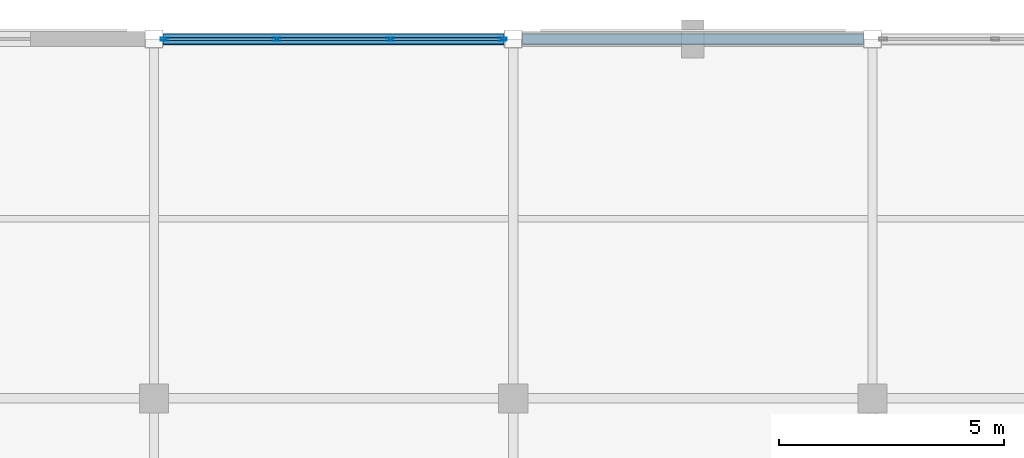
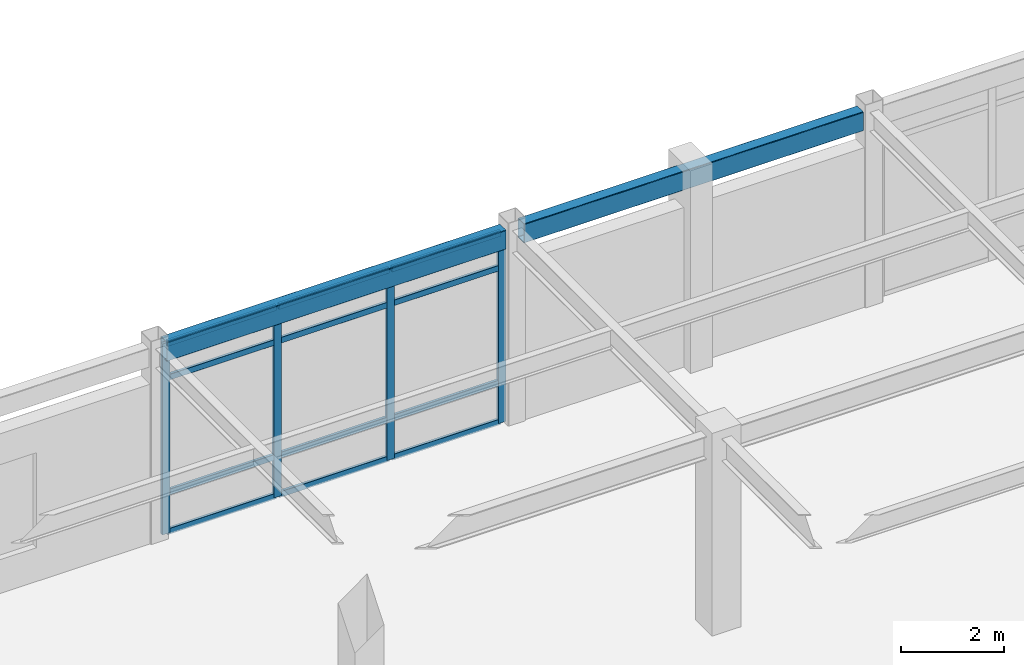
# One storey, part 63 of 117: 16 members, 2 beams, 1 element without a shape of its own.
"""IFC4 building model written with IfcOpenShell, lengths in metres."""

from ifc_helpers import new_model, si_unit, direction, frame, origin, origin_2d, place, context, subcontext, project, spatial, hollow_rectangle, extrude, material, material_profile, profile_set, type_object, element, aggregate, save


model = new_model("IFC4")

# Units and contexts
model_context = context("Model", 3, precision=1e-05, world=origin(), true_north=direction((0.0, 1.0)))
body_context = subcontext(model_context, "Body", "Model", "MODEL_VIEW")
ifc_project = project(units=[si_unit("LENGTHUNIT", "METRE"), si_unit("AREAUNIT", "SQUARE_METRE"), si_unit("VOLUMEUNIT", "CUBIC_METRE"), si_unit("PLANEANGLEUNIT", "RADIAN"), si_unit("MASSUNIT", "GRAM", prefix="KILO")], contexts=[model_context])

# Site, building, storey
site_placement = place(None, origin())
site = spatial("IfcSite", under=ifc_project, at=site_placement, CompositionType="ELEMENT")
building_placement = place(site_placement, origin())
building = spatial("IfcBuilding", under=site, at=building_placement, Name="Solmirada Galleria", CompositionType="ELEMENT")
storey_placement = place(building_placement, frame((0.0, 0.0, 5.60009765625)))
storey = spatial("IfcBuildingStorey", under=building, at=storey_placement, Name="L01", CompositionType="ELEMENT", Elevation=5.60009765625)

# Beams
ifc_material_1 = material(Name="Steel S355 / ASTM A500 Grade C", Category="steel")
ifc_material_profile_1 = material_profile(ifc_material_1, hollow_rectangle(XDim=0.25390625, YDim=0.45703125, WallThickness=0.01171875, InnerFilletRadius=0.01171875, OuterFilletRadius=0.023681640625, at=origin_2d()), Name="HSS18X10X1/2")
ifc_profile_set_1 = profile_set([ifc_material_profile_1], Name="Steel S355 / ASTM A500 Grade C")
beam_type = type_object("IfcBeamType", Name="BM-SPAND-W18", PredefinedType="SPANDREL", material=ifc_profile_set_1)
for number, where, z_axis, x_axis, name in (
    (1, (88.202880859375, 120.0, 4.371337890625), (1.0, 0.0, 0.0), (0.0, 1.0, 0.0), "Primary beam L02 X(88..96, 120)"),
    (2, (96.202880859375, 120.0, 4.371337890625), (1.0, 0.0, 0.0), (0.0, 1.0, 0.0), "Primary beam L02 X(96..104, 120)"),
):
    element("IfcBeam", number, at=place(storey_placement, frame(where, z_axis=z_axis, x_axis=x_axis)), inside=storey, type_object=beam_type, Name=name, PredefinedType="SPANDREL", context=body_context, shape_type="SweptSolid", body=[
        extrude(hollow_rectangle(XDim=0.25390625, YDim=0.45703125, WallThickness=0.01171875, InnerFilletRadius=0.01171875, OuterFilletRadius=0.023681640625, at=origin_2d()), origin(), (0.0, 0.0, 1.0), 7.59423828125),
    ])

# Curtain wall, members
ifc_material_2 = material(Name="Impact-resistant low-E double glazing", Category="glass")
curtain_wall_type = type_object("IfcCurtainWallType", Name="CW-FZ4-L01-B3-L076", PredefinedType="NOTDEFINED", material=ifc_material_2)
curtain_wall_placement = place(storey_placement, origin())
curtain_wall = element("IfcCurtainWall", 3, at=curtain_wall_placement, inside=storey, type_object=curtain_wall_type, Name="Terrace and arcade storefront CW-L01-054", PredefinedType="NOTDEFINED")
ifc_material_3 = material(Name="Anodised aluminium framing", Category="aluminium")
ifc_material_profile_2 = material_profile(ifc_material_3, hollow_rectangle(XDim=0.06494140625, YDim=0.179931640625, WallThickness=0.00390625, InnerFilletRadius=0.00390625, OuterFilletRadius=0.008056640625, at=origin_2d()), Name="ALU-MULL-180X65")
ifc_profile_set_2 = profile_set([ifc_material_profile_2], Name="Anodised aluminium framing")
member_type_1 = type_object("IfcMemberType", Name="CW-MULL-180", PredefinedType="MULLION", material=ifc_profile_set_2)
member_1_placement = place(storey_placement, frame((88.237548828125, 120.0, 0.0), z_axis=(0.0, 0.0, 1.0), x_axis=(0.0, 1.0, 0.0)))
member_1 = element("IfcMember", 4, at=member_1_placement, type_object=member_type_1, Name="CW14 mullion 1", PredefinedType="MULLION", context=body_context, shape_type="SweptSolid", body=[
    extrude(hollow_rectangle(XDim=0.06494140625, YDim=0.179931640625, WallThickness=0.00390625, InnerFilletRadius=0.00390625, OuterFilletRadius=0.008056640625, at=origin_2d()), origin(), (0.0, 0.0, 1.0), 4.52001953125),
])
member_2_placement = place(storey_placement, frame((90.735107421875, 120.0, 0.0), z_axis=(0.0, 0.0, 1.0), x_axis=(0.0, 1.0, 0.0)))
member_2 = element("IfcMember", 5, at=member_2_placement, type_object=member_type_1, Name="CW14 mullion 2", PredefinedType="MULLION", context=body_context, shape_type="SweptSolid", body=[
    extrude(hollow_rectangle(XDim=0.06494140625, YDim=0.179931640625, WallThickness=0.00390625, InnerFilletRadius=0.00390625, OuterFilletRadius=0.008056640625, at=origin_2d()), origin(), (0.0, 0.0, 1.0), 4.52001953125),
])
member_3_placement = place(storey_placement, frame((93.264892578125, 120.0, 0.0), z_axis=(0.0, 0.0, 1.0), x_axis=(0.0, 1.0, 0.0)))
member_3 = element("IfcMember", 6, at=member_3_placement, type_object=member_type_1, Name="CW14 mullion 3", PredefinedType="MULLION", context=body_context, shape_type="SweptSolid", body=[
    extrude(hollow_rectangle(XDim=0.06494140625, YDim=0.179931640625, WallThickness=0.00390625, InnerFilletRadius=0.00390625, OuterFilletRadius=0.008056640625, at=origin_2d()), origin(), (0.0, 0.0, 1.0), 4.52001953125),
])
member_4_placement = place(storey_placement, frame((95.762451171875, 120.0, 0.0), z_axis=(0.0, 0.0, 1.0), x_axis=(0.0, 1.0, 0.0)))
member_4 = element("IfcMember", 7, at=member_4_placement, type_object=member_type_1, Name="CW14 mullion 4", PredefinedType="MULLION", context=body_context, shape_type="SweptSolid", body=[
    extrude(hollow_rectangle(XDim=0.06494140625, YDim=0.179931640625, WallThickness=0.00390625, InnerFilletRadius=0.00390625, OuterFilletRadius=0.008056640625, at=origin_2d()), origin(), (0.0, 0.0, 1.0), 4.52001953125),
])
ifc_material_profile_3 = material_profile(ifc_material_3, hollow_rectangle(XDim=0.06494140625, YDim=0.139892578125, WallThickness=0.00341796875, InnerFilletRadius=0.00341796875, OuterFilletRadius=0.007080078125, at=origin_2d()), Name="ALU-TRAN-140X65")
ifc_profile_set_3 = profile_set([ifc_material_profile_3], Name="Anodised aluminium framing")
member_type_2 = type_object("IfcMemberType", Name="CW-TRAN-140", PredefinedType="USERDEFINED", material=ifc_profile_set_3)
member_5_placement = place(storey_placement, frame((88.27001953125, 120.0, 0.032470703125), z_axis=(1.0, 0.0, 0.0), x_axis=(0.0, 1.0, 0.0)))
member_5 = element("IfcMember", 8, at=member_5_placement, type_object=member_type_2, Name="CW14 transom 1.1", ObjectType="TRANSOM", PredefinedType="USERDEFINED", context=body_context, shape_type="SweptSolid", body=[
    extrude(hollow_rectangle(XDim=0.06494140625, YDim=0.139892578125, WallThickness=0.00341796875, InnerFilletRadius=0.00341796875, OuterFilletRadius=0.007080078125, at=origin_2d()), origin(), (0.0, 0.0, 1.0), 2.432373046875),
])
member_6_placement = place(storey_placement, frame((88.27001953125, 120.0, 0.9599609375), z_axis=(1.0, 0.0, 0.0), x_axis=(0.0, 1.0, 0.0)))
member_6 = element("IfcMember", 9, at=member_6_placement, type_object=member_type_2, Name="CW14 transom 1.2", ObjectType="TRANSOM", PredefinedType="USERDEFINED", context=body_context, shape_type="SweptSolid", body=[
    extrude(hollow_rectangle(XDim=0.06494140625, YDim=0.139892578125, WallThickness=0.00341796875, InnerFilletRadius=0.00341796875, OuterFilletRadius=0.007080078125, at=origin_2d()), origin(), (0.0, 0.0, 1.0), 2.432373046875),
])
member_7_placement = place(storey_placement, frame((88.27001953125, 120.0, 3.679931640625), z_axis=(1.0, 0.0, 0.0), x_axis=(0.0, 1.0, 0.0)))
member_7 = element("IfcMember", 10, at=member_7_placement, type_object=member_type_2, Name="CW14 transom 1.3", ObjectType="TRANSOM", PredefinedType="USERDEFINED", context=body_context, shape_type="SweptSolid", body=[
    extrude(hollow_rectangle(XDim=0.06494140625, YDim=0.139892578125, WallThickness=0.00341796875, InnerFilletRadius=0.00341796875, OuterFilletRadius=0.007080078125, at=origin_2d()), origin(), (0.0, 0.0, 1.0), 2.432373046875),
])
member_8_placement = place(storey_placement, frame((88.27001953125, 120.0, 4.4873046875), z_axis=(1.0, 0.0, 0.0), x_axis=(0.0, 1.0, 0.0)))
member_8 = element("IfcMember", 11, at=member_8_placement, type_object=member_type_2, Name="CW14 transom 1.4", ObjectType="TRANSOM", PredefinedType="USERDEFINED", context=body_context, shape_type="SweptSolid", body=[
    extrude(hollow_rectangle(XDim=0.06494140625, YDim=0.139892578125, WallThickness=0.00341796875, InnerFilletRadius=0.00341796875, OuterFilletRadius=0.007080078125, at=origin_2d()), origin(), (0.0, 0.0, 1.0), 2.432373046875),
])
member_9_placement = place(storey_placement, frame((90.767578125, 120.0, 0.032470703125), z_axis=(1.0, 0.0, 0.0), x_axis=(0.0, 1.0, 0.0)))
member_9 = element("IfcMember", 12, at=member_9_placement, type_object=member_type_2, Name="CW14 transom 2.1", ObjectType="TRANSOM", PredefinedType="USERDEFINED", context=body_context, shape_type="SweptSolid", body=[
    extrude(hollow_rectangle(XDim=0.06494140625, YDim=0.139892578125, WallThickness=0.00341796875, InnerFilletRadius=0.00341796875, OuterFilletRadius=0.007080078125, at=origin_2d()), origin(), (0.0, 0.0, 1.0), 2.46484375),
])
member_10_placement = place(storey_placement, frame((90.767578125, 120.0, 0.9599609375), z_axis=(1.0, 0.0, 0.0), x_axis=(0.0, 1.0, 0.0)))
member_10 = element("IfcMember", 13, at=member_10_placement, type_object=member_type_2, Name="CW14 transom 2.2", ObjectType="TRANSOM", PredefinedType="USERDEFINED", context=body_context, shape_type="SweptSolid", body=[
    extrude(hollow_rectangle(XDim=0.06494140625, YDim=0.139892578125, WallThickness=0.00341796875, InnerFilletRadius=0.00341796875, OuterFilletRadius=0.007080078125, at=origin_2d()), origin(), (0.0, 0.0, 1.0), 2.46484375),
])
member_11_placement = place(storey_placement, frame((90.767578125, 120.0, 3.679931640625), z_axis=(1.0, 0.0, 0.0), x_axis=(0.0, 1.0, 0.0)))
member_11 = element("IfcMember", 14, at=member_11_placement, type_object=member_type_2, Name="CW14 transom 2.3", ObjectType="TRANSOM", PredefinedType="USERDEFINED", context=body_context, shape_type="SweptSolid", body=[
    extrude(hollow_rectangle(XDim=0.06494140625, YDim=0.139892578125, WallThickness=0.00341796875, InnerFilletRadius=0.00341796875, OuterFilletRadius=0.007080078125, at=origin_2d()), origin(), (0.0, 0.0, 1.0), 2.46484375),
])
member_12_placement = place(storey_placement, frame((90.767578125, 120.0, 4.4873046875), z_axis=(1.0, 0.0, 0.0), x_axis=(0.0, 1.0, 0.0)))
member_12 = element("IfcMember", 15, at=member_12_placement, type_object=member_type_2, Name="CW14 transom 2.4", ObjectType="TRANSOM", PredefinedType="USERDEFINED", context=body_context, shape_type="SweptSolid", body=[
    extrude(hollow_rectangle(XDim=0.06494140625, YDim=0.139892578125, WallThickness=0.00341796875, InnerFilletRadius=0.00341796875, OuterFilletRadius=0.007080078125, at=origin_2d()), origin(), (0.0, 0.0, 1.0), 2.46484375),
])
member_13_placement = place(storey_placement, frame((93.297607421875, 120.0, 0.032470703125), z_axis=(1.0, 0.0, 0.0), x_axis=(0.0, 1.0, 0.0)))
member_13 = element("IfcMember", 16, at=member_13_placement, type_object=member_type_2, Name="CW14 transom 3.1", ObjectType="TRANSOM", PredefinedType="USERDEFINED", context=body_context, shape_type="SweptSolid", body=[
    extrude(hollow_rectangle(XDim=0.06494140625, YDim=0.139892578125, WallThickness=0.00341796875, InnerFilletRadius=0.00341796875, OuterFilletRadius=0.007080078125, at=origin_2d()), origin(), (0.0, 0.0, 1.0), 2.432373046875),
])
member_14_placement = place(storey_placement, frame((93.297607421875, 120.0, 0.9599609375), z_axis=(1.0, 0.0, 0.0), x_axis=(0.0, 1.0, 0.0)))
member_14 = element("IfcMember", 17, at=member_14_placement, type_object=member_type_2, Name="CW14 transom 3.2", ObjectType="TRANSOM", PredefinedType="USERDEFINED", context=body_context, shape_type="SweptSolid", body=[
    extrude(hollow_rectangle(XDim=0.06494140625, YDim=0.139892578125, WallThickness=0.00341796875, InnerFilletRadius=0.00341796875, OuterFilletRadius=0.007080078125, at=origin_2d()), origin(), (0.0, 0.0, 1.0), 2.432373046875),
])
member_15_placement = place(storey_placement, frame((93.297607421875, 120.0, 3.679931640625), z_axis=(1.0, 0.0, 0.0), x_axis=(0.0, 1.0, 0.0)))
member_15 = element("IfcMember", 18, at=member_15_placement, type_object=member_type_2, Name="CW14 transom 3.3", ObjectType="TRANSOM", PredefinedType="USERDEFINED", context=body_context, shape_type="SweptSolid", body=[
    extrude(hollow_rectangle(XDim=0.06494140625, YDim=0.139892578125, WallThickness=0.00341796875, InnerFilletRadius=0.00341796875, OuterFilletRadius=0.007080078125, at=origin_2d()), origin(), (0.0, 0.0, 1.0), 2.432373046875),
])
member_16_placement = place(storey_placement, frame((93.297607421875, 120.0, 4.4873046875), z_axis=(1.0, 0.0, 0.0), x_axis=(0.0, 1.0, 0.0)))
member_16 = element("IfcMember", 19, at=member_16_placement, type_object=member_type_2, Name="CW14 transom 3.4", ObjectType="TRANSOM", PredefinedType="USERDEFINED", context=body_context, shape_type="SweptSolid", body=[
    extrude(hollow_rectangle(XDim=0.06494140625, YDim=0.139892578125, WallThickness=0.00341796875, InnerFilletRadius=0.00341796875, OuterFilletRadius=0.007080078125, at=origin_2d()), origin(), (0.0, 0.0, 1.0), 2.432373046875),
])
aggregate(curtain_wall, [member_1, member_2, member_3, member_4, member_5, member_6, member_7, member_8, member_9, member_10, member_11, member_12, member_13, member_14, member_15, member_16])

save(model, "model.ifc")
